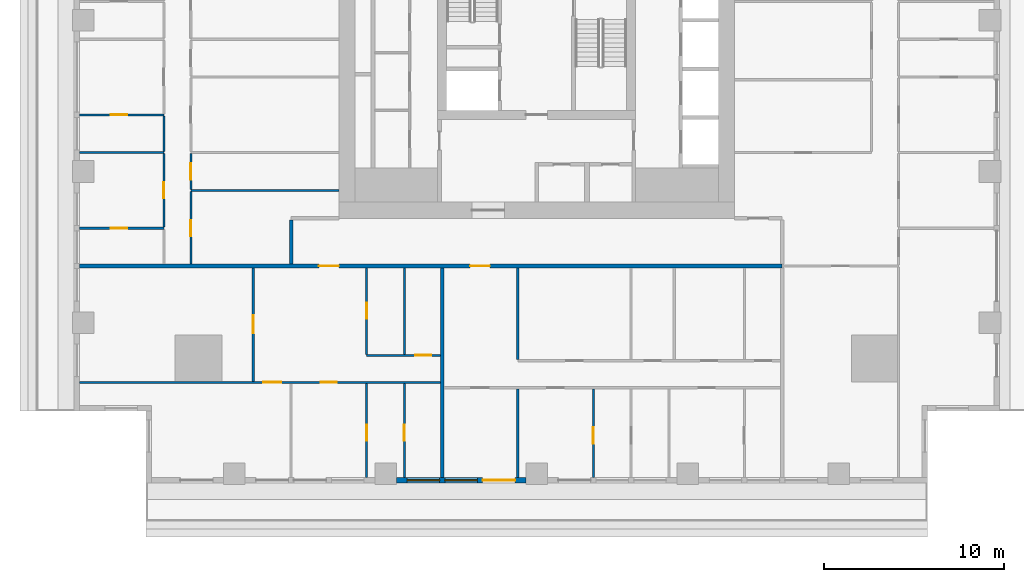
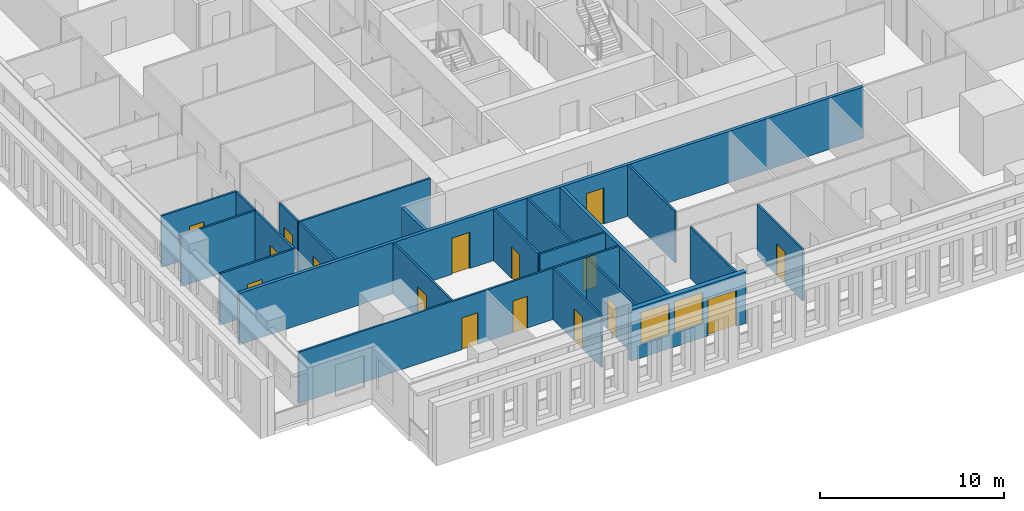
# One storey, part 2 of 16: 22 walls, 16 doors, 2 windows, 18 openings.
"""IFC4 building model written with IfcOpenShell, lengths in metres."""

from ifc_helpers import new_model, si_unit, direction, frame, frame_2d, origin, place, context, subcontext, project, spatial, rectangle, extrude, material, layer, layer_set, type_object, element, fill, save


model = new_model("IFC4")

# Units and contexts
model_context = context("Model", 3, precision=1e-05, world=origin(), true_north=direction((0.0, 1.0)))
body_context = subcontext(model_context, "Body", "Model", "MODEL_VIEW")
ifc_project = project(units=[si_unit("LENGTHUNIT", "METRE"), si_unit("AREAUNIT", "SQUARE_METRE"), si_unit("VOLUMEUNIT", "CUBIC_METRE"), si_unit("PLANEANGLEUNIT", "RADIAN"), si_unit("MASSUNIT", "GRAM", prefix="KILO")], contexts=[model_context])

# Site, building, storey
site_placement = place(None, origin())
site = spatial("IfcSite", under=ifc_project, at=site_placement, CompositionType="ELEMENT")
building_placement = place(site_placement, origin())
building = spatial("IfcBuilding", under=site, at=building_placement, Name="Khepri Terraces", CompositionType="ELEMENT")
storey_placement = place(building_placement, frame((0.0, 0.0, 176.699951171875)))
storey = spatial("IfcBuildingStorey", under=building, at=storey_placement, Name="L42", CompositionType="ELEMENT", Elevation=176.699951171875)

# Wall
ifc_material_1 = material(Name="Fire-rated gypsum plasterboard partition, mineral wool")
ifc_layer_1 = layer(ifc_material_1, 0.199951171875, Name="Fire-rated gypsum plasterboard partition, mineral wool")
ifc_layer_set_1 = layer_set([ifc_layer_1], Name="Fire-rated gypsum plasterboard partition, mineral wool")
wall_type_1 = type_object("IfcWallType", Name="WL-CORR-200", PredefinedType="PARTITIONING", material=ifc_layer_set_1)
wall_1_placement = place(storey_placement, frame((-5.25, -25.419921875, 0.0), z_axis=(0.0, 0.0, 1.0), x_axis=(0.0, 1.0, 0.0)))
element("IfcWall", 1, at=wall_1_placement, inside=storey, type_object=wall_type_1, Name="Partition P-004 L42", PredefinedType="PARTITIONING", context=body_context, shape_type="SweptSolid", body=[
    extrude(rectangle(XDim=11.669921875, YDim=0.199951171875, at=frame_2d((5.8349609375, 0.0))), origin(), (0.0, 0.0, 1.0), 3.400146484375),
])

# Wall, openings, doors
wall_2_placement = place(storey_placement, frame((-25.419921875, -13.64990234375, 0.0), z_axis=(0.0, 0.0, 1.0), x_axis=(1.0, 0.0, 0.0)))
wall_2 = element("IfcWall", 2, at=wall_2_placement, inside=storey, type_object=wall_type_1, Name="Partition P-023 L42", PredefinedType="PARTITIONING", context=body_context, shape_type="SweptSolid", body=[
    extrude(rectangle(XDim=39.06982421875, YDim=0.199951171875, at=frame_2d((19.534912109375, 0.0))), origin(), (0.0, 0.0, 1.0), 3.400146484375),
])
opening_1_placement = place(wall_2_placement, frame((13.320068359375, 0.0, 0.0)))
opening_1 = element("IfcOpeningElement", 3, at=opening_1_placement, cuts=wall_2, Name="Opening D1", PredefinedType="OPENING", context=body_context, shape_type="SweptSolid", body=[
    extrude(rectangle(XDim=1.10009765625, YDim=2.39990234375, at=frame_2d((0.550048828125, 1.199951171875))), frame((0.0, 0.10986328125, 0.0), z_axis=(0.0, -1.0, 0.0), x_axis=(1.0, 0.0, 0.0)), (0.0, 0.0, 1.0), 0.219970703125),
])
opening_2_placement = place(wall_2_placement, frame((21.719970703125, 0.0, 0.0)))
opening_2 = element("IfcOpeningElement", 4, at=opening_2_placement, cuts=wall_2, Name="Opening D1", PredefinedType="OPENING", context=body_context, shape_type="SweptSolid", body=[
    extrude(rectangle(XDim=1.10009765625, YDim=2.39990234375, at=frame_2d((0.550048828125, 1.199951171875))), frame((0.0, 0.10986328125, 0.0), z_axis=(0.0, -1.0, 0.0), x_axis=(1.0, 0.0, 0.0)), (0.0, 0.0, 1.0), 0.219970703125),
])
ifc_material_2 = material(Name="Solid-core timber door leaf, flat entrance door", Category="wood")
door_type_1 = type_object("IfcDoorType", Name="DR-ENT-1100", OperationType="NOTDEFINED", PredefinedType="DOOR", material=ifc_material_2)
door_1_placement = place(opening_1_placement, frame((1.10009765625, 0.0, 0.0), z_axis=(0.0, 0.0, 1.0), x_axis=(-1.0, 0.0, 0.0)))
door_1 = element("IfcDoor", 5, at=door_1_placement, inside=storey, type_object=door_type_1, Name="Flat A1 entrance door", OperationType="SINGLE_SWING_RIGHT", OverallHeight=2.39990234375, OverallWidth=1.10009765625, PredefinedType="DOOR", context=body_context, shape_type="SweptSolid", body=[
    extrude(rectangle(XDim=1.10009765625, YDim=2.39990234375, at=frame_2d((0.550048828125, 1.199951171875))), frame((0.0, 0.02490234375, 0.0), z_axis=(0.0, -1.0, 0.0), x_axis=(1.0, 0.0, 0.0)), (0.0, 0.0, 1.0), 0.050048828125),
])
fill(opening_1, door_1)
door_2_placement = place(opening_2_placement, frame((1.10009765625, 0.0, 0.0), z_axis=(0.0, 0.0, 1.0), x_axis=(-1.0, 0.0, 0.0)))
door_2 = element("IfcDoor", 6, at=door_2_placement, inside=storey, type_object=door_type_1, Name="Flat A2 entrance door", OperationType="SINGLE_SWING_LEFT", OverallHeight=2.39990234375, OverallWidth=1.10009765625, PredefinedType="DOOR", context=body_context, shape_type="SweptSolid", body=[
    extrude(rectangle(XDim=1.10009765625, YDim=2.39990234375, at=frame_2d((0.550048828125, 1.199951171875))), frame((0.0, 0.02490234375, 0.0), z_axis=(0.0, -1.0, 0.0), x_axis=(1.0, 0.0, 0.0)), (0.0, 0.0, 1.0), 0.050048828125),
])
fill(opening_2, door_2)

# Wall
wall_3_placement = place(storey_placement, frame((-13.64990234375, -13.550048828125, 0.0), z_axis=(0.0, 0.0, 1.0), x_axis=(0.0, 1.0, 0.0)))
element("IfcWall", 7, at=wall_3_placement, inside=storey, type_object=wall_type_1, Name="Partition P-028 L42", PredefinedType="PARTITIONING", context=body_context, shape_type="SweptSolid", body=[
    extrude(rectangle(XDim=2.449951171875, YDim=0.199951171875, at=frame_2d((1.22509765625, 0.0))), origin(), (0.0, 0.0, 1.0), 3.400146484375),
])

# Wall, openings, door, windows
ifc_material_3 = material(Name="Precast concrete C50/60 warm stone", Category="masonry")
ifc_layer_2 = layer(ifc_material_3, 0.300048828125, Name="Precast concrete C50/60 warm stone", Category="masonry")
ifc_layer_set_2 = layer_set([ifc_layer_2], Name="Precast concrete C50/60 warm stone")
wall_type_2 = type_object("IfcWallType", Name="WL-EXT-PRECAST-300", PredefinedType="STANDARD", material=ifc_layer_set_2)
wall_4_placement = place(storey_placement, frame((-7.800048828125, -25.570068359375, 0.0), z_axis=(0.0, 0.0, 1.0), x_axis=(1.0, 0.0, 0.0)))
wall_4 = element("IfcWall", 8, at=wall_4_placement, inside=storey, type_object=wall_type_2, Name="External wall L42 S", PredefinedType="STANDARD", context=body_context, shape_type="SweptSolid", body=[
    extrude(rectangle(XDim=7.199951171875, YDim=0.300048828125, at=frame_2d((3.60009765625, 0.0))), origin(), (0.0, 0.0, 1.0), 3.400146484375),
])
opening_3_placement = place(wall_4_placement, frame((0.60009765625, 0.0, 0.89990234375)))
opening_3 = element("IfcOpeningElement", 9, at=opening_3_placement, cuts=wall_4, Name="Opening W1", PredefinedType="OPENING", context=body_context, shape_type="SweptSolid", body=[
    extrude(rectangle(XDim=1.800048828125, YDim=2.10009765625, at=frame_2d((0.89990234375, 1.050048828125))), frame((0.0, 0.16015625, 0.0), z_axis=(0.0, -1.0, 0.0), x_axis=(1.0, 0.0, 0.0)), (0.0, 0.0, 1.0), 0.320068359375),
])
opening_4_placement = place(wall_4_placement, frame((2.699951171875, 0.0, 0.89990234375)))
opening_4 = element("IfcOpeningElement", 10, at=opening_4_placement, cuts=wall_4, Name="Opening W1", PredefinedType="OPENING", context=body_context, shape_type="SweptSolid", body=[
    extrude(rectangle(XDim=1.800048828125, YDim=2.10009765625, at=frame_2d((0.89990234375, 1.050048828125))), frame((0.0, 0.16015625, 0.0), z_axis=(0.0, -1.0, 0.0), x_axis=(1.0, 0.0, 0.0)), (0.0, 0.0, 1.0), 0.320068359375),
])
opening_5_placement = place(wall_4_placement, frame((4.800048828125, 0.0, 0.0)))
opening_5 = element("IfcOpeningElement", 11, at=opening_5_placement, cuts=wall_4, Name="Opening ED-L42-13", PredefinedType="OPENING", context=body_context, shape_type="SweptSolid", body=[
    extrude(rectangle(XDim=1.800048828125, YDim=2.39990234375, at=frame_2d((0.89990234375, 1.199951171875))), frame((0.0, 0.16015625, 0.0), z_axis=(0.0, -1.0, 0.0), x_axis=(1.0, 0.0, 0.0)), (0.0, 0.0, 1.0), 0.320068359375),
])
ifc_material_4 = material(Name="Anodised aluminium bronze glazed door", Category="aluminium")
door_type_2 = type_object("IfcDoorType", Name="DR-BAL-SLIDE-1800x2400", OperationType="NOTDEFINED", PredefinedType="DOOR", material=ifc_material_4)
door_3_placement = place(opening_5_placement, origin())
door_3 = element("IfcDoor", 12, at=door_3_placement, inside=storey, type_object=door_type_2, Name="Balcony door L42 S", OperationType="SLIDING_TO_RIGHT", OverallHeight=2.39990234375, OverallWidth=1.800048828125, PredefinedType="DOOR", context=body_context, shape_type="SweptSolid", body=[
    extrude(rectangle(XDim=1.800048828125, YDim=2.39990234375, at=frame_2d((0.89990234375, 1.199951171875))), frame((0.0, 0.02490234375, 0.0), z_axis=(0.0, -1.0, 0.0), x_axis=(1.0, 0.0, 0.0)), (0.0, 0.0, 1.0), 0.050048828125),
])
fill(opening_5, door_3)
ifc_material_5 = material(Name="Clear glass", Category="glass")
window_type = type_object("IfcWindowType", Name="WIN-RES-1800x2100", PartitioningType="SINGLE_PANEL", PredefinedType="WINDOW", material=ifc_material_5)
window_1_placement = place(opening_3_placement, origin())
window_1 = element("IfcWindow", 13, at=window_1_placement, inside=storey, type_object=window_type, Name="Window L42 S", OverallHeight=2.10009765625, OverallWidth=1.800048828125, PartitioningType="SINGLE_PANEL", PredefinedType="WINDOW", context=body_context, shape_type="SweptSolid", body=[
    extrude(rectangle(XDim=1.800048828125, YDim=2.10009765625, at=frame_2d((0.89990234375, 1.050048828125))), frame((0.0, 0.030029296875, 0.0), z_axis=(0.0, -1.0, 0.0), x_axis=(1.0, 0.0, 0.0)), (0.0, 0.0, 1.0), 0.06005859375),
])
fill(opening_3, window_1)
window_2_placement = place(opening_4_placement, origin())
window_2 = element("IfcWindow", 14, at=window_2_placement, inside=storey, type_object=window_type, Name="Window L42 S", OverallHeight=2.10009765625, OverallWidth=1.800048828125, PartitioningType="SINGLE_PANEL", PredefinedType="WINDOW", context=body_context, shape_type="SweptSolid", body=[
    extrude(rectangle(XDim=1.800048828125, YDim=2.10009765625, at=frame_2d((0.89990234375, 1.050048828125))), frame((0.0, 0.030029296875, 0.0), z_axis=(0.0, -1.0, 0.0), x_axis=(1.0, 0.0, 0.0)), (0.0, 0.0, 1.0), 0.06005859375),
])
fill(opening_4, window_2)

# Wall, opening, door
ifc_material_6 = material(Name="Gypsum plasterboard partition")
ifc_layer_3 = layer(ifc_material_6, 0.1201171875, Name="Gypsum plasterboard partition")
ifc_layer_set_3 = layer_set([ifc_layer_3], Name="Gypsum plasterboard partition")
wall_type_3 = type_object("IfcWallType", Name="WL-PART-120", PredefinedType="PARTITIONING", material=ifc_layer_set_3)
wall_5_placement = place(storey_placement, frame((-9.449951171875, -25.419921875, 0.0), z_axis=(0.0, 0.0, 1.0), x_axis=(0.0, 1.0, 0.0)))
wall_5 = element("IfcWall", 15, at=wall_5_placement, inside=storey, type_object=wall_type_3, Name="Partition P-002 L42", PredefinedType="PARTITIONING", context=body_context, shape_type="SweptSolid", body=[
    extrude(rectangle(XDim=5.239990234375, YDim=0.1201171875, at=frame_2d((2.6201171875, 0.0))), origin(), (0.0, 0.0, 1.0), 3.400146484375),
])
opening_6_placement = place(wall_5_placement, frame((2.050048828125, 0.0, 0.0)))
opening_6 = element("IfcOpeningElement", 16, at=opening_6_placement, cuts=wall_5, Name="Opening D3", PredefinedType="OPENING", context=body_context, shape_type="SweptSolid", body=[
    extrude(rectangle(XDim=0.89990234375, YDim=2.10009765625, at=frame_2d((0.449951171875, 1.050048828125))), frame((0.0, 0.070068359375, 0.0), z_axis=(0.0, -1.0, 0.0), x_axis=(1.0, 0.0, 0.0)), (0.0, 0.0, 1.0), 0.14013671875),
])
ifc_material_7 = material(Name="Timber door leaf", Category="wood")
door_type_3 = type_object("IfcDoorType", Name="DR-INT-900", OperationType="NOTDEFINED", PredefinedType="DOOR", material=ifc_material_7)
door_4_placement = place(opening_6_placement, frame((0.89990234375, 0.0, 0.0), z_axis=(0.0, 0.0, 1.0), x_axis=(-1.0, 0.0, 0.0)))
door_4 = element("IfcDoor", 17, at=door_4_placement, inside=storey, type_object=door_type_3, Name="Door Dressing Room", OperationType="SINGLE_SWING_RIGHT", OverallHeight=2.10009765625, OverallWidth=0.89990234375, PredefinedType="DOOR", context=body_context, shape_type="SweptSolid", body=[
    extrude(rectangle(XDim=0.89990234375, YDim=2.10009765625, at=frame_2d((0.449951171875, 1.050048828125))), frame((0.0, 0.02490234375, 0.0), z_axis=(0.0, -1.0, 0.0), x_axis=(1.0, 0.0, 0.0)), (0.0, 0.0, 1.0), 0.050048828125),
])
fill(opening_6, door_4)

wall_6_placement = place(storey_placement, frame((-7.35009765625, -25.419921875, 0.0), z_axis=(0.0, 0.0, 1.0), x_axis=(0.0, 1.0, 0.0)))
wall_6 = element("IfcWall", 18, at=wall_6_placement, inside=storey, type_object=wall_type_3, Name="Partition P-003 L42", PredefinedType="PARTITIONING", context=body_context, shape_type="SweptSolid", body=[
    extrude(rectangle(XDim=5.239990234375, YDim=0.1201171875, at=frame_2d((2.6201171875, 0.0))), origin(), (0.0, 0.0, 1.0), 3.400146484375),
])
opening_7_placement = place(wall_6_placement, frame((2.050048828125, 0.0, 0.0)))
opening_7 = element("IfcOpeningElement", 19, at=opening_7_placement, cuts=wall_6, Name="Opening D4", PredefinedType="OPENING", context=body_context, shape_type="SweptSolid", body=[
    extrude(rectangle(XDim=0.89990234375, YDim=2.10009765625, at=frame_2d((0.449951171875, 1.050048828125))), frame((0.0, 0.070068359375, 0.0), z_axis=(0.0, -1.0, 0.0), x_axis=(1.0, 0.0, 0.0)), (0.0, 0.0, 1.0), 0.14013671875),
])
ifc_material_8 = material(Name="Timber door leaf, moisture resistant", Category="wood")
door_type_4 = type_object("IfcDoorType", Name="DR-WET-900", OperationType="NOTDEFINED", PredefinedType="DOOR", material=ifc_material_8)
door_5_placement = place(opening_7_placement, frame((0.89990234375, 0.0, 0.0), z_axis=(0.0, 0.0, 1.0), x_axis=(-1.0, 0.0, 0.0)))
door_5 = element("IfcDoor", 20, at=door_5_placement, inside=storey, type_object=door_type_4, Name="Door Bathroom", OperationType="SINGLE_SWING_RIGHT", OverallHeight=2.10009765625, OverallWidth=0.89990234375, PredefinedType="DOOR", context=body_context, shape_type="SweptSolid", body=[
    extrude(rectangle(XDim=0.89990234375, YDim=2.10009765625, at=frame_2d((0.449951171875, 1.050048828125))), frame((0.0, 0.02490234375, 0.0), z_axis=(0.0, -1.0, 0.0), x_axis=(1.0, 0.0, 0.0)), (0.0, 0.0, 1.0), 0.050048828125),
])
fill(opening_7, door_5)

# Wall
wall_7_placement = place(storey_placement, frame((-1.050048828125, -25.419921875, 0.0), z_axis=(0.0, 0.0, 1.0), x_axis=(0.0, 1.0, 0.0)))
element("IfcWall", 21, at=wall_7_placement, inside=storey, type_object=wall_type_3, Name="Partition P-005 L42", PredefinedType="PARTITIONING", context=body_context, shape_type="SweptSolid", body=[
    extrude(rectangle(XDim=4.93994140625, YDim=0.1201171875, at=frame_2d((2.469970703125, 0.0))), origin(), (0.0, 0.0, 1.0), 3.400146484375),
])

# Wall, opening, door
wall_8_placement = place(storey_placement, frame((3.14990234375, -25.419921875, 0.0), z_axis=(0.0, 0.0, 1.0), x_axis=(0.0, 1.0, 0.0)))
wall_8 = element("IfcWall", 22, at=wall_8_placement, inside=storey, type_object=wall_type_3, Name="Partition P-006 L42", PredefinedType="PARTITIONING", context=body_context, shape_type="SweptSolid", body=[
    extrude(rectangle(XDim=4.93994140625, YDim=0.1201171875, at=frame_2d((2.469970703125, 0.0))), origin(), (0.0, 0.0, 1.0), 3.400146484375),
])
opening_8_placement = place(wall_8_placement, frame((1.89990234375, 0.0, 0.0)))
opening_8 = element("IfcOpeningElement", 23, at=opening_8_placement, cuts=wall_8, Name="Opening D3", PredefinedType="OPENING", context=body_context, shape_type="SweptSolid", body=[
    extrude(rectangle(XDim=0.89990234375, YDim=2.10009765625, at=frame_2d((0.449951171875, 1.050048828125))), frame((0.0, 0.070068359375, 0.0), z_axis=(0.0, -1.0, 0.0), x_axis=(1.0, 0.0, 0.0)), (0.0, 0.0, 1.0), 0.14013671875),
])
door_6_placement = place(opening_8_placement, frame((0.89990234375, 0.0, 0.0), z_axis=(0.0, 0.0, 1.0), x_axis=(-1.0, 0.0, 0.0)))
door_6 = element("IfcDoor", 24, at=door_6_placement, inside=storey, type_object=door_type_3, Name="Door Dressing Room", OperationType="SINGLE_SWING_RIGHT", OverallHeight=2.10009765625, OverallWidth=0.89990234375, PredefinedType="DOOR", context=body_context, shape_type="SweptSolid", body=[
    extrude(rectangle(XDim=0.89990234375, YDim=2.10009765625, at=frame_2d((0.449951171875, 1.050048828125))), frame((0.0, 0.02490234375, 0.0), z_axis=(0.0, -1.0, 0.0), x_axis=(1.0, 0.0, 0.0)), (0.0, 0.0, 1.0), 0.050048828125),
])
fill(opening_8, door_6)

# Wall, openings, doors
wall_9_placement = place(storey_placement, frame((-25.419921875, -20.1201171875, 0.0), z_axis=(0.0, 0.0, 1.0), x_axis=(1.0, 0.0, 0.0)))
wall_9 = element("IfcWall", 25, at=wall_9_placement, inside=storey, type_object=wall_type_3, Name="Partition P-013 L42", PredefinedType="PARTITIONING", context=body_context, shape_type="SweptSolid", body=[
    extrude(rectangle(XDim=20.06982421875, YDim=0.1201171875, at=frame_2d((10.034912109375, 0.0))), origin(), (0.0, 0.0, 1.0), 3.400146484375),
])
opening_9_placement = place(wall_9_placement, frame((10.219970703125, 0.0, 0.0)))
opening_9 = element("IfcOpeningElement", 26, at=opening_9_placement, cuts=wall_9, Name="Opening D2", PredefinedType="OPENING", context=body_context, shape_type="SweptSolid", body=[
    extrude(rectangle(XDim=1.0, YDim=2.10009765625, at=frame_2d((0.5, 1.050048828125))), frame((0.0, 0.070068359375, 0.0), z_axis=(0.0, -1.0, 0.0), x_axis=(1.0, 0.0, 0.0)), (0.0, 0.0, 1.0), 0.14013671875),
])
opening_10_placement = place(wall_9_placement, frame((13.419921875, 0.0, 0.0)))
opening_10 = element("IfcOpeningElement", 27, at=opening_10_placement, cuts=wall_9, Name="Opening D3", PredefinedType="OPENING", context=body_context, shape_type="SweptSolid", body=[
    extrude(rectangle(XDim=0.89990234375, YDim=2.10009765625, at=frame_2d((0.449951171875, 1.050048828125))), frame((0.0, 0.070068359375, 0.0), z_axis=(0.0, -1.0, 0.0), x_axis=(1.0, 0.0, 0.0)), (0.0, 0.0, 1.0), 0.14013671875),
])
ifc_material_9 = material(Name="Timber door leaf, living room door", Category="wood")
door_type_5 = type_object("IfcDoorType", Name="DR-INT-1000", OperationType="NOTDEFINED", PredefinedType="DOOR", material=ifc_material_9)
door_7_placement = place(opening_9_placement, frame((1.0, 0.0, 0.0), z_axis=(0.0, 0.0, 1.0), x_axis=(-1.0, 0.0, 0.0)))
door_7 = element("IfcDoor", 28, at=door_7_placement, inside=storey, type_object=door_type_5, Name="Door Living Room", OperationType="SINGLE_SWING_LEFT", OverallHeight=2.10009765625, OverallWidth=1.0, PredefinedType="DOOR", context=body_context, shape_type="SweptSolid", body=[
    extrude(rectangle(XDim=1.0, YDim=2.10009765625, at=frame_2d((0.5, 1.050048828125))), frame((0.0, 0.02490234375, 0.0), z_axis=(0.0, -1.0, 0.0), x_axis=(1.0, 0.0, 0.0)), (0.0, 0.0, 1.0), 0.050048828125),
])
fill(opening_9, door_7)
door_8_placement = place(opening_10_placement, frame((0.89990234375, 0.0, 0.0), z_axis=(0.0, 0.0, 1.0), x_axis=(-1.0, 0.0, 0.0)))
door_8 = element("IfcDoor", 29, at=door_8_placement, inside=storey, type_object=door_type_3, Name="Door Master Bedroom", OperationType="SINGLE_SWING_LEFT", OverallHeight=2.10009765625, OverallWidth=0.89990234375, PredefinedType="DOOR", context=body_context, shape_type="SweptSolid", body=[
    extrude(rectangle(XDim=0.89990234375, YDim=2.10009765625, at=frame_2d((0.449951171875, 1.050048828125))), frame((0.0, 0.02490234375, 0.0), z_axis=(0.0, -1.0, 0.0), x_axis=(1.0, 0.0, 0.0)), (0.0, 0.0, 1.0), 0.050048828125),
])
fill(opening_10, door_8)

# Wall, opening, door
wall_10_placement = place(storey_placement, frame((-15.75, -20.06005859375, 0.0), z_axis=(0.0, 0.0, 1.0), x_axis=(0.0, 1.0, 0.0)))
wall_10 = element("IfcWall", 30, at=wall_10_placement, inside=storey, type_object=wall_type_3, Name="Partition P-014 L42", PredefinedType="PARTITIONING", context=body_context, shape_type="SweptSolid", body=[
    extrude(rectangle(XDim=6.31005859375, YDim=0.1201171875, at=frame_2d((3.155029296875, 0.0))), origin(), (0.0, 0.0, 1.0), 3.400146484375),
])
opening_11_placement = place(wall_10_placement, frame((2.675048828125, 0.0, 0.0)))
opening_11 = element("IfcOpeningElement", 31, at=opening_11_placement, cuts=wall_10, Name="Opening D2", PredefinedType="OPENING", context=body_context, shape_type="SweptSolid", body=[
    extrude(rectangle(XDim=1.0, YDim=2.10009765625, at=frame_2d((0.5, 1.050048828125))), frame((0.0, 0.070068359375, 0.0), z_axis=(0.0, -1.0, 0.0), x_axis=(1.0, 0.0, 0.0)), (0.0, 0.0, 1.0), 0.14013671875),
])
door_9_placement = place(opening_11_placement, origin())
door_9 = element("IfcDoor", 32, at=door_9_placement, inside=storey, type_object=door_type_5, Name="Door Family Room", OperationType="SINGLE_SWING_RIGHT", OverallHeight=2.10009765625, OverallWidth=1.0, PredefinedType="DOOR", context=body_context, shape_type="SweptSolid", body=[
    extrude(rectangle(XDim=1.0, YDim=2.10009765625, at=frame_2d((0.5, 1.050048828125))), frame((0.0, 0.02490234375, 0.0), z_axis=(0.0, -1.0, 0.0), x_axis=(1.0, 0.0, 0.0)), (0.0, 0.0, 1.0), 0.050048828125),
])
fill(opening_11, door_9)

# Wall
wall_11_placement = place(storey_placement, frame((-1.050048828125, -18.860107421875, 0.0), z_axis=(0.0, 0.0, 1.0), x_axis=(0.0, 1.0, 0.0)))
element("IfcWall", 33, at=wall_11_placement, inside=storey, type_object=wall_type_3, Name="Partition P-016 L42", PredefinedType="PARTITIONING", context=body_context, shape_type="SweptSolid", body=[
    extrude(rectangle(XDim=5.110107421875, YDim=0.1201171875, at=frame_2d((2.55517578125, 0.0))), origin(), (0.0, 0.0, 1.0), 3.400146484375),
])

# Wall, opening, door
wall_12_placement = place(storey_placement, frame((-9.449951171875, -18.6201171875, 0.0), z_axis=(0.0, 0.0, 1.0), x_axis=(1.0, 0.0, 0.0)))
wall_12 = element("IfcWall", 34, at=wall_12_placement, inside=storey, type_object=wall_type_3, Name="Partition P-020 L42", PredefinedType="PARTITIONING", context=body_context, shape_type="SweptSolid", body=[
    extrude(rectangle(XDim=4.099853515625, YDim=0.1201171875, at=frame_2d((2.0498046875, 0.0))), origin(), (0.0, 0.0, 1.0), 3.400146484375),
])
opening_12_placement = place(wall_12_placement, frame((2.699951171875, 0.0, 0.0)))
opening_12 = element("IfcOpeningElement", 35, at=opening_12_placement, cuts=wall_12, Name="Opening D3", PredefinedType="OPENING", context=body_context, shape_type="SweptSolid", body=[
    extrude(rectangle(XDim=0.89990234375, YDim=2.10009765625, at=frame_2d((0.449951171875, 1.050048828125))), frame((0.0, 0.070068359375, 0.0), z_axis=(0.0, -1.0, 0.0), x_axis=(1.0, 0.0, 0.0)), (0.0, 0.0, 1.0), 0.14013671875),
])
door_10_placement = place(opening_12_placement, origin())
door_10 = element("IfcDoor", 36, at=door_10_placement, inside=storey, type_object=door_type_3, Name="Door Kitchen", OperationType="SINGLE_SWING_RIGHT", OverallHeight=2.10009765625, OverallWidth=0.89990234375, PredefinedType="DOOR", context=body_context, shape_type="SweptSolid", body=[
    extrude(rectangle(XDim=0.89990234375, YDim=2.10009765625, at=frame_2d((0.449951171875, 1.050048828125))), frame((0.0, 0.02490234375, 0.0), z_axis=(0.0, -1.0, 0.0), x_axis=(1.0, 0.0, 0.0)), (0.0, 0.0, 1.0), 0.050048828125),
])
fill(opening_12, door_10)

wall_13_placement = place(storey_placement, frame((-9.449951171875, -18.56005859375, 0.0), z_axis=(0.0, 0.0, 1.0), x_axis=(0.0, 1.0, 0.0)))
wall_13 = element("IfcWall", 37, at=wall_13_placement, inside=storey, type_object=wall_type_3, Name="Partition P-021 L42", PredefinedType="PARTITIONING", context=body_context, shape_type="SweptSolid", body=[
    extrude(rectangle(XDim=4.81005859375, YDim=0.1201171875, at=frame_2d((2.405029296875, 0.0))), origin(), (0.0, 0.0, 1.0), 3.400146484375),
])
opening_13_placement = place(wall_13_placement, frame((1.97509765625, 0.0, 0.0)))
opening_13 = element("IfcOpeningElement", 38, at=opening_13_placement, cuts=wall_13, Name="Opening D4", PredefinedType="OPENING", context=body_context, shape_type="SweptSolid", body=[
    extrude(rectangle(XDim=0.89990234375, YDim=2.10009765625, at=frame_2d((0.449951171875, 1.050048828125))), frame((0.0, 0.070068359375, 0.0), z_axis=(0.0, -1.0, 0.0), x_axis=(1.0, 0.0, 0.0)), (0.0, 0.0, 1.0), 0.14013671875),
])
door_11_placement = place(opening_13_placement, frame((0.89990234375, 0.0, 0.0), z_axis=(0.0, 0.0, 1.0), x_axis=(-1.0, 0.0, 0.0)))
door_11 = element("IfcDoor", 39, at=door_11_placement, inside=storey, type_object=door_type_4, Name="Door Guest Bathroom", OperationType="SINGLE_SWING_LEFT", OverallHeight=2.10009765625, OverallWidth=0.89990234375, PredefinedType="DOOR", context=body_context, shape_type="SweptSolid", body=[
    extrude(rectangle(XDim=0.89990234375, YDim=2.10009765625, at=frame_2d((0.449951171875, 1.050048828125))), frame((0.0, 0.02490234375, 0.0), z_axis=(0.0, -1.0, 0.0), x_axis=(1.0, 0.0, 0.0)), (0.0, 0.0, 1.0), 0.050048828125),
])
fill(opening_13, door_11)

# Wall
wall_14_placement = place(storey_placement, frame((-7.35009765625, -18.56005859375, 0.0), z_axis=(0.0, 0.0, 1.0), x_axis=(0.0, 1.0, 0.0)))
element("IfcWall", 40, at=wall_14_placement, inside=storey, type_object=wall_type_3, Name="Partition P-022 L42", PredefinedType="PARTITIONING", context=body_context, shape_type="SweptSolid", body=[
    extrude(rectangle(XDim=4.81005859375, YDim=0.1201171875, at=frame_2d((2.405029296875, 0.0))), origin(), (0.0, 0.0, 1.0), 3.400146484375),
])

# Wall, opening, door
wall_15_placement = place(storey_placement, frame((-19.219970703125, -13.550048828125, 0.0), z_axis=(0.0, 0.0, 1.0), x_axis=(0.0, 1.0, 0.0)))
wall_15 = element("IfcWall", 41, at=wall_15_placement, inside=storey, type_object=wall_type_3, Name="Partition P-027 L42", PredefinedType="PARTITIONING", context=body_context, shape_type="SweptSolid", body=[
    extrude(rectangle(XDim=4.0400390625, YDim=0.1201171875, at=frame_2d((2.02001953125, 0.0))), origin(), (0.0, 0.0, 1.0), 3.400146484375),
])
opening_14_placement = place(wall_15_placement, frame((1.550048828125, 0.0, 0.0)))
opening_14 = element("IfcOpeningElement", 42, at=opening_14_placement, cuts=wall_15, Name="Opening D3", PredefinedType="OPENING", context=body_context, shape_type="SweptSolid", body=[
    extrude(rectangle(XDim=0.89990234375, YDim=2.10009765625, at=frame_2d((0.449951171875, 1.050048828125))), frame((0.0, 0.070068359375, 0.0), z_axis=(0.0, -1.0, 0.0), x_axis=(1.0, 0.0, 0.0)), (0.0, 0.0, 1.0), 0.14013671875),
])
door_12_placement = place(opening_14_placement, frame((0.89990234375, 0.0, 0.0), z_axis=(0.0, 0.0, 1.0), x_axis=(-1.0, 0.0, 0.0)))
door_12 = element("IfcDoor", 43, at=door_12_placement, inside=storey, type_object=door_type_3, Name="Door Library", OperationType="SINGLE_SWING_RIGHT", OverallHeight=2.10009765625, OverallWidth=0.89990234375, PredefinedType="DOOR", context=body_context, shape_type="SweptSolid", body=[
    extrude(rectangle(XDim=0.89990234375, YDim=2.10009765625, at=frame_2d((0.449951171875, 1.050048828125))), frame((0.0, 0.02490234375, 0.0), z_axis=(0.0, -1.0, 0.0), x_axis=(1.0, 0.0, 0.0)), (0.0, 0.0, 1.0), 0.050048828125),
])
fill(opening_14, door_12)

wall_16_placement = place(storey_placement, frame((-25.419921875, -11.550048828125, 0.0), z_axis=(0.0, 0.0, 1.0), x_axis=(1.0, 0.0, 0.0)))
wall_16 = element("IfcWall", 44, at=wall_16_placement, inside=storey, type_object=wall_type_3, Name="Partition P-030 L42", PredefinedType="PARTITIONING", context=body_context, shape_type="SweptSolid", body=[
    extrude(rectangle(XDim=4.699951171875, YDim=0.1201171875, at=frame_2d((2.35009765625, 0.0))), origin(), (0.0, 0.0, 1.0), 3.400146484375),
])
opening_15_placement = place(wall_16_placement, frame((1.75, 0.0, 0.0)))
opening_15 = element("IfcOpeningElement", 45, at=opening_15_placement, cuts=wall_16, Name="Opening D4", PredefinedType="OPENING", context=body_context, shape_type="SweptSolid", body=[
    extrude(rectangle(XDim=0.89990234375, YDim=2.10009765625, at=frame_2d((0.449951171875, 1.050048828125))), frame((0.0, 0.070068359375, 0.0), z_axis=(0.0, -1.0, 0.0), x_axis=(1.0, 0.0, 0.0)), (0.0, 0.0, 1.0), 0.14013671875),
])
door_13_placement = place(opening_15_placement, frame((0.89990234375, 0.0, 0.0), z_axis=(0.0, 0.0, 1.0), x_axis=(-1.0, 0.0, 0.0)))
door_13 = element("IfcDoor", 46, at=door_13_placement, inside=storey, type_object=door_type_4, Name="Door Bathroom", OperationType="SINGLE_SWING_RIGHT", OverallHeight=2.10009765625, OverallWidth=0.89990234375, PredefinedType="DOOR", context=body_context, shape_type="SweptSolid", body=[
    extrude(rectangle(XDim=0.89990234375, YDim=2.10009765625, at=frame_2d((0.449951171875, 1.050048828125))), frame((0.0, 0.02490234375, 0.0), z_axis=(0.0, -1.0, 0.0), x_axis=(1.0, 0.0, 0.0)), (0.0, 0.0, 1.0), 0.050048828125),
])
fill(opening_15, door_13)

wall_17_placement = place(storey_placement, frame((-20.719970703125, -11.489990234375, 0.0), z_axis=(0.0, 0.0, 1.0), x_axis=(0.0, 1.0, 0.0)))
wall_17 = element("IfcWall", 47, at=wall_17_placement, inside=storey, type_object=wall_type_3, Name="Partition P-032 L42", PredefinedType="PARTITIONING", context=body_context, shape_type="SweptSolid", body=[
    extrude(rectangle(XDim=4.080078125, YDim=0.1201171875, at=frame_2d((2.0400390625, 0.0))), origin(), (0.0, 0.0, 1.0), 3.400146484375),
])
opening_16_placement = place(wall_17_placement, frame((1.590087890625, 0.0, 0.0)))
opening_16 = element("IfcOpeningElement", 48, at=opening_16_placement, cuts=wall_17, Name="Opening D3", PredefinedType="OPENING", context=body_context, shape_type="SweptSolid", body=[
    extrude(rectangle(XDim=0.89990234375, YDim=2.10009765625, at=frame_2d((0.449951171875, 1.050048828125))), frame((0.0, 0.070068359375, 0.0), z_axis=(0.0, -1.0, 0.0), x_axis=(1.0, 0.0, 0.0)), (0.0, 0.0, 1.0), 0.14013671875),
])
door_14_placement = place(opening_16_placement, origin())
door_14 = element("IfcDoor", 49, at=door_14_placement, inside=storey, type_object=door_type_3, Name="Door Bedroom", OperationType="SINGLE_SWING_RIGHT", OverallHeight=2.10009765625, OverallWidth=0.89990234375, PredefinedType="DOOR", context=body_context, shape_type="SweptSolid", body=[
    extrude(rectangle(XDim=0.89990234375, YDim=2.10009765625, at=frame_2d((0.449951171875, 1.050048828125))), frame((0.0, 0.02490234375, 0.0), z_axis=(0.0, -1.0, 0.0), x_axis=(1.0, 0.0, 0.0)), (0.0, 0.0, 1.0), 0.050048828125),
])
fill(opening_16, door_14)

# Wall
wall_18_placement = place(storey_placement, frame((-19.219970703125, -9.449951171875, 0.0), z_axis=(0.0, 0.0, 1.0), x_axis=(1.0, 0.0, 0.0)))
element("IfcWall", 50, at=wall_18_placement, inside=storey, type_object=wall_type_3, Name="Partition P-036 L42", PredefinedType="PARTITIONING", context=body_context, shape_type="SweptSolid", body=[
    extrude(rectangle(XDim=8.219970703125, YDim=0.1201171875, at=frame_2d((4.10986328125, 0.0))), origin(), (0.0, 0.0, 1.0), 3.400146484375),
])

# Wall, opening, door
wall_19_placement = place(storey_placement, frame((-19.219970703125, -9.389892578125, 0.0), z_axis=(0.0, 0.0, 1.0), x_axis=(0.0, 1.0, 0.0)))
wall_19 = element("IfcWall", 51, at=wall_19_placement, inside=storey, type_object=wall_type_3, Name="Partition P-037 L42", PredefinedType="PARTITIONING", context=body_context, shape_type="SweptSolid", body=[
    extrude(rectangle(XDim=1.97998046875, YDim=0.1201171875, at=frame_2d((0.989990234375, 0.0))), origin(), (0.0, 0.0, 1.0), 3.400146484375),
])
opening_17_placement = place(wall_19_placement, frame((0.5400390625, 0.0, 0.0)))
opening_17 = element("IfcOpeningElement", 52, at=opening_17_placement, cuts=wall_19, Name="Opening D4", PredefinedType="OPENING", context=body_context, shape_type="SweptSolid", body=[
    extrude(rectangle(XDim=0.89990234375, YDim=2.10009765625, at=frame_2d((0.449951171875, 1.050048828125))), frame((0.0, 0.070068359375, 0.0), z_axis=(0.0, -1.0, 0.0), x_axis=(1.0, 0.0, 0.0)), (0.0, 0.0, 1.0), 0.14013671875),
])
door_15_placement = place(opening_17_placement, frame((0.89990234375, 0.0, 0.0), z_axis=(0.0, 0.0, 1.0), x_axis=(-1.0, 0.0, 0.0)))
door_15 = element("IfcDoor", 53, at=door_15_placement, inside=storey, type_object=door_type_4, Name="Door Guest Bathroom", OperationType="SINGLE_SWING_LEFT", OverallHeight=2.10009765625, OverallWidth=0.89990234375, PredefinedType="DOOR", context=body_context, shape_type="SweptSolid", body=[
    extrude(rectangle(XDim=0.89990234375, YDim=2.10009765625, at=frame_2d((0.449951171875, 1.050048828125))), frame((0.0, 0.02490234375, 0.0), z_axis=(0.0, -1.0, 0.0), x_axis=(1.0, 0.0, 0.0)), (0.0, 0.0, 1.0), 0.050048828125),
])
fill(opening_17, door_15)

# Walls
wall_20_placement = place(storey_placement, frame((-25.419921875, -7.35009765625, 0.0), z_axis=(0.0, 0.0, 1.0), x_axis=(1.0, 0.0, 0.0)))
element("IfcWall", 54, at=wall_20_placement, inside=storey, type_object=wall_type_3, Name="Partition P-038 L42", PredefinedType="PARTITIONING", context=body_context, shape_type="SweptSolid", body=[
    extrude(rectangle(XDim=4.699951171875, YDim=0.1201171875, at=frame_2d((2.35009765625, 0.0))), origin(), (0.0, 0.0, 1.0), 3.400146484375),
])
wall_21_placement = place(storey_placement, frame((-20.719970703125, -7.2900390625, 0.0), z_axis=(0.0, 0.0, 1.0), x_axis=(0.0, 1.0, 0.0)))
element("IfcWall", 55, at=wall_21_placement, inside=storey, type_object=wall_type_3, Name="Partition P-042 L42", PredefinedType="PARTITIONING", context=body_context, shape_type="SweptSolid", body=[
    extrude(rectangle(XDim=1.97998046875, YDim=0.1201171875, at=frame_2d((0.989990234375, 0.0))), origin(), (0.0, 0.0, 1.0), 3.400146484375),
])

# Wall, opening, door
wall_22_placement = place(storey_placement, frame((-25.419921875, -5.25, 0.0), z_axis=(0.0, 0.0, 1.0), x_axis=(1.0, 0.0, 0.0)))
wall_22 = element("IfcWall", 56, at=wall_22_placement, inside=storey, type_object=wall_type_3, Name="Partition P-046 L42", PredefinedType="PARTITIONING", context=body_context, shape_type="SweptSolid", body=[
    extrude(rectangle(XDim=4.699951171875, YDim=0.1201171875, at=frame_2d((2.35009765625, 0.0))), origin(), (0.0, 0.0, 1.0), 3.400146484375),
])
opening_18_placement = place(wall_22_placement, frame((1.75, 0.0, 0.0)))
opening_18 = element("IfcOpeningElement", 57, at=opening_18_placement, cuts=wall_22, Name="Opening D4", PredefinedType="OPENING", context=body_context, shape_type="SweptSolid", body=[
    extrude(rectangle(XDim=0.89990234375, YDim=2.10009765625, at=frame_2d((0.449951171875, 1.050048828125))), frame((0.0, 0.070068359375, 0.0), z_axis=(0.0, -1.0, 0.0), x_axis=(1.0, 0.0, 0.0)), (0.0, 0.0, 1.0), 0.14013671875),
])
door_16_placement = place(opening_18_placement, frame((0.89990234375, 0.0, 0.0), z_axis=(0.0, 0.0, 1.0), x_axis=(-1.0, 0.0, 0.0)))
door_16 = element("IfcDoor", 58, at=door_16_placement, inside=storey, type_object=door_type_4, Name="Door Bathroom", OperationType="SINGLE_SWING_RIGHT", OverallHeight=2.10009765625, OverallWidth=0.89990234375, PredefinedType="DOOR", context=body_context, shape_type="SweptSolid", body=[
    extrude(rectangle(XDim=0.89990234375, YDim=2.10009765625, at=frame_2d((0.449951171875, 1.050048828125))), frame((0.0, 0.02490234375, 0.0), z_axis=(0.0, -1.0, 0.0), x_axis=(1.0, 0.0, 0.0)), (0.0, 0.0, 1.0), 0.050048828125),
])
fill(opening_18, door_16)

save(model, "model.ifc")
